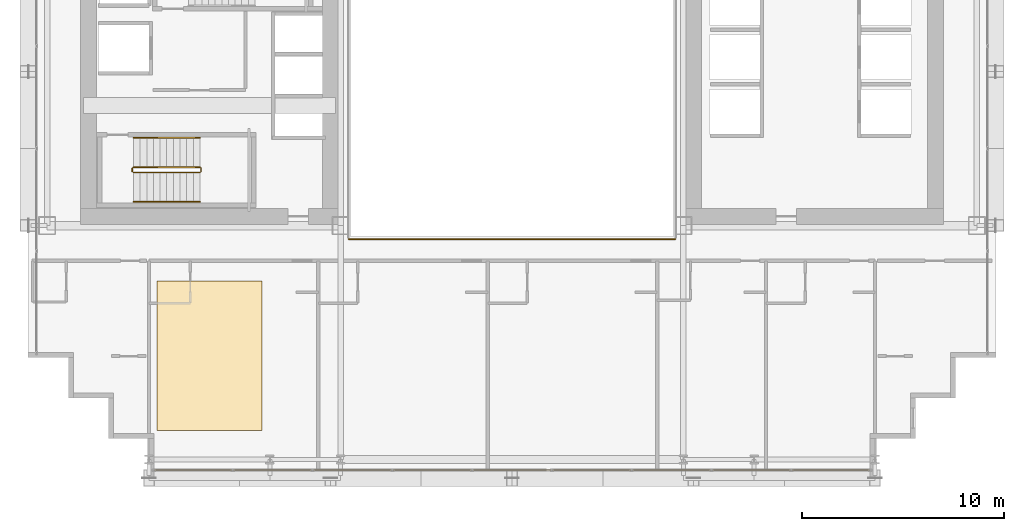
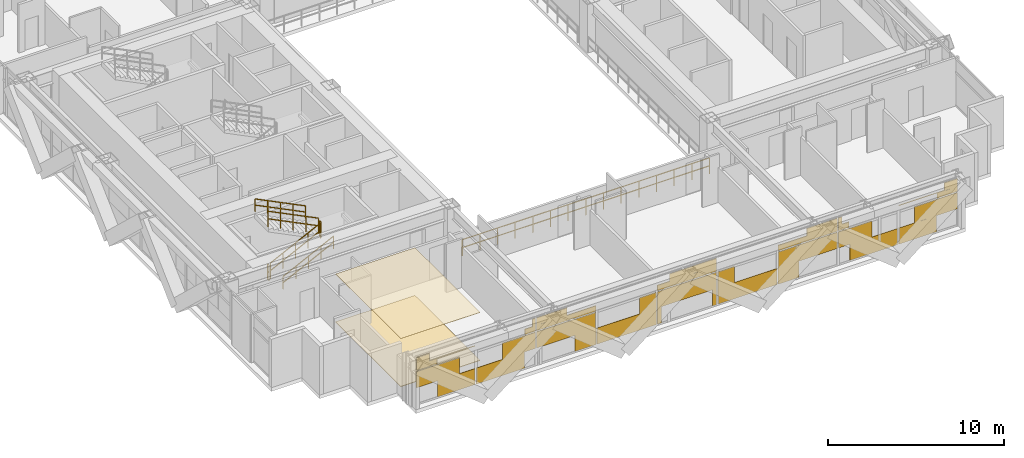
# One storey, part 35 of 38: 7 railings, 3 coverings.
"""IFC4 building model written with IfcOpenShell, lengths in metres."""

import ifcopenshell
import ifcopenshell.guid

model = None  # the IFC model being written
_history = None  # IfcOwnerHistory: only IFC2X3 demands one
_inside = {}  # id of a spatial element -> (the spatial element, [elements in it])
_under = {}  # id of a project, library or spatial element -> (it, [spatial elements below it])
_declared = {}  # id of a project -> (the project, [libraries it declares])
_typed = {}  # id of a type object -> (the type object, [elements of that type])
_made_of = {}  # id of a material, layer set ... -> (it, [elements and type objects made of it])


def new_model(schema):
    """Start an empty IFC model of exactly this schema.

    Asked for "IFC4X3", IfcOpenShell would pick the latest addendum, in which some entities
    have other attributes; the version numbers below select the first issue.
    IFC2X3 requires an IfcOwnerHistory on every rooted entity: one is made here for all.
    """
    global model, _history
    if schema == "IFC4X3":
        model = ifcopenshell.file(schema_version=(4, 3, 0, 0))
    else:
        model = ifcopenshell.file(schema=schema)
    _inside.clear()
    _under.clear()
    _declared.clear()
    _typed.clear()
    _made_of.clear()
    _history = None
    if model.schema == "IFC2X3":
        org = make("IfcOrganization", Name="unknown")
        user = make(
            "IfcPersonAndOrganization",
            ThePerson=make("IfcPerson", FamilyName="unknown"),
            TheOrganization=org,
        )
        app = make(
            "IfcApplication",
            ApplicationDeveloper=org,
            Version="unknown",
            ApplicationFullName="unknown",
            ApplicationIdentifier="unknown",
        )
        _history = make(
            "IfcOwnerHistory",
            OwningUser=user,
            OwningApplication=app,
            ChangeAction="ADDED",
            CreationDate=0,
        )
    return model


def make(cls, **values):
    """One entity of the class cls with the attributes given. An attribute that is None is left unset."""
    return model.create_entity(
        cls, **{name: value for name, value in values.items() if value is not None}
    )


def rooted(cls, **values):
    """An entity with a GlobalId (a new one), such as an element, a storey or a relation."""
    return make(cls, GlobalId=ifcopenshell.guid.new(), OwnerHistory=_history, **values)


def si_unit(unit_type, name, prefix=None):
    """IfcSIUnit, for example si_unit("LENGTHUNIT", "METRE", prefix="MILLI")."""
    return make("IfcSIUnit", UnitType=unit_type, Prefix=prefix, Name=name)


def assignment(units):
    """IfcUnitAssignment: the units of a project."""
    return None if units is None else make("IfcUnitAssignment", Units=units)


def point(xyz):
    """IfcCartesianPoint."""
    return None if xyz is None else make("IfcCartesianPoint", Coordinates=xyz)


def direction(xyz):
    """IfcDirection."""
    return None if xyz is None else make("IfcDirection", DirectionRatios=xyz)


def frame(location, z_axis=None, x_axis=None):
    """IfcAxis2Placement3D, a coordinate frame: its origin and axes. An axis left out is left unset."""
    return make(
        "IfcAxis2Placement3D",
        Location=point(location),
        Axis=direction(z_axis),
        RefDirection=direction(x_axis),
    )


def frame_2d(location, x_axis=None):
    """IfcAxis2Placement2D, a coordinate frame in the plane: its origin and x axis."""
    return make(
        "IfcAxis2Placement2D", Location=point(location), RefDirection=direction(x_axis)
    )


def origin():
    """The frame at (0, 0, 0) with its axes left unset."""
    return frame((0.0, 0.0, 0.0))


def origin_2d():
    """The frame at (0, 0) in the plane with its x axis left unset."""
    return frame_2d((0.0, 0.0))


def place(relative_to, where):
    """IfcLocalPlacement: puts the frame where relative to a parent placement (None: the world)."""
    return make(
        "IfcLocalPlacement", PlacementRelTo=relative_to, RelativePlacement=where
    )


def context(
    kind, dimensions, precision=None, world=None, true_north=None, identifier=None
):
    """IfcGeometricRepresentationContext, for example the 3D "Model" context."""
    return make(
        "IfcGeometricRepresentationContext",
        ContextIdentifier=identifier,
        ContextType=kind,
        CoordinateSpaceDimension=dimensions,
        Precision=precision,
        WorldCoordinateSystem=world,
        TrueNorth=true_north,
    )


def subcontext(parent, identifier, kind, view, scale=None):
    """IfcGeometricRepresentationSubContext, for example "Body" below "Model"."""
    return make(
        "IfcGeometricRepresentationSubContext",
        ContextIdentifier=identifier,
        ContextType=kind,
        ParentContext=parent,
        TargetScale=scale,
        TargetView=view,
    )


def project(units=None, contexts=None):
    """IfcProject with its units and contexts."""
    return rooted(
        "IfcProject",
        Name="project",
        RepresentationContexts=contexts,
        UnitsInContext=assignment(units),
    )


def spatial(cls, under=None, at=None, **own):
    """A site, building, storey or space (cls), placed at a placement, below another one or the project."""
    s = rooted(cls, ObjectPlacement=at, **own)
    if under is not None:
        _under.setdefault(under.id(), (under, []))[1].append(s)
    return s


def polyline(points):
    """IfcPolyline through the points."""
    return make("IfcPolyline", Points=[point(p) for p in points])


def profile(cls, at=None, kind="AREA", **sizes):
    """A parametric profile (cls). Its sizes go by their IFC names, for example OverallWidth=200.0."""
    return make(cls, ProfileType=kind, Position=at, **sizes)


def rectangle(**sizes):
    """IfcRectangleProfileDef."""
    return profile("IfcRectangleProfileDef", **sizes)


def outline(outer, holes=None, kind="AREA"):
    """IfcArbitraryClosedProfileDef: a profile drawn as a closed curve; with holes, ...WithVoids."""
    if holes is None:
        return make("IfcArbitraryClosedProfileDef", ProfileType=kind, OuterCurve=outer)
    return make(
        "IfcArbitraryProfileDefWithVoids",
        ProfileType=kind,
        OuterCurve=outer,
        InnerCurves=holes,
    )


def extrude(swept, where, along, depth):
    """IfcExtrudedAreaSolid: the profile swept, set in the frame where, extruded along a direction by depth."""
    return make(
        "IfcExtrudedAreaSolid",
        SweptArea=swept,
        Position=where,
        ExtrudedDirection=direction(along),
        Depth=depth,
    )


def shape(context_of_items, identifier, shape_type, items):
    """IfcShapeRepresentation: the items that make up one representation, for example the "Body"."""
    return make(
        "IfcShapeRepresentation",
        ContextOfItems=context_of_items,
        RepresentationIdentifier=identifier,
        RepresentationType=shape_type,
        Items=items,
    )


def material(Name=None, Category=None):
    """IfcMaterial."""
    return make("IfcMaterial", Name=Name, Category=Category)


def layer(
    of_material, thickness, ventilated=None, Name=None, Category=None, Priority=None
):
    """IfcMaterialLayer: one layer of a wall or slab, of a material (None: an air gap)."""
    return make(
        "IfcMaterialLayer",
        Material=of_material,
        LayerThickness=thickness,
        IsVentilated=ventilated,
        Name=Name,
        Category=Category,
        Priority=Priority,
    )


def layer_set(layers, Name=None):
    """IfcMaterialLayerSet."""
    return make("IfcMaterialLayerSet", MaterialLayers=layers, LayerSetName=Name)


def made_of(thing, what):
    """Note that an element or type object is made of a material, layer set ...; save() writes the relation."""
    if what is not None:
        _made_of.setdefault(what.id(), (what, []))[1].append(thing)
    return thing


def type_object(cls, material=None, **own):
    """A type object (cls), such as IfcWallType, which elements share."""
    return made_of(rooted(cls, **own), material)


def element(
    cls,
    number,
    at=None,
    inside=None,
    cuts=None,
    type_object=None,
    material=None,
    context=None,
    identifier="Body",
    shape_type=None,
    held_by="IfcProductDefinitionShape",
    body=None,
    shapes=None,
    **own,
):
    """One element of the class cls, such as IfcWall. Its Tag is "e" and its number.

    at: its placement. inside: the storey or other place that contains it. cuts: it is an
    opening in that element (IfcRelVoidsElement). A single representation is given by context,
    identifier, shape_type and body (its items); several are given by shapes. held_by: the class
    of the entity that holds the representations. save() writes the other relations.
    """
    e = rooted(cls, Tag="e%d" % number, ObjectPlacement=at, **own)
    if body is not None:
        shapes = [shape(context, identifier, shape_type, body)]
    if shapes is not None:
        e.Representation = make(held_by, Representations=shapes)
    if inside is not None:
        _inside.setdefault(inside.id(), (inside, []))[1].append(e)
    if cuts is not None:
        rooted(
            "IfcRelVoidsElement", RelatingBuildingElement=cuts, RelatedOpeningElement=e
        )
    if type_object is not None:
        _typed.setdefault(type_object.id(), (type_object, []))[1].append(e)
    return made_of(e, material)


def aggregate(whole, parts):
    """IfcRelAggregates: a whole, such as a stair, and the parts it consists of."""
    return rooted("IfcRelAggregates", RelatingObject=whole, RelatedObjects=parts)


def save(model, path):
    """Write the relations noted so far, then the file.

    IfcRelAggregates (storeys below a building ...), IfcRelContainedInSpatialStructure (elements
    in a storey), IfcRelDefinesByType, IfcRelAssociatesMaterial and IfcRelDeclares: one each for
    every whole, place, type object, material and project.
    """
    for whole, parts in _under.values():
        aggregate(whole, parts)
    for where, things in _inside.values():
        rooted(
            "IfcRelContainedInSpatialStructure",
            RelatedElements=things,
            RelatingStructure=where,
        )
    for kind, things in _typed.values():
        rooted("IfcRelDefinesByType", RelatedObjects=things, RelatingType=kind)
    for what, things in _made_of.values():
        rooted("IfcRelAssociatesMaterial", RelatedObjects=things, RelatingMaterial=what)
    for by, libraries in _declared.values():
        rooted("IfcRelDeclares", RelatingContext=by, RelatedDefinitions=libraries)
    model.write(path)


model = new_model("IFC4")

# Units and contexts
model_context = context("Model", 3, precision=1e-05, world=origin(), true_north=direction((0.0, 1.0)))
body_context = subcontext(model_context, "Body", "Model", "MODEL_VIEW")
ifc_project = project(units=[si_unit("LENGTHUNIT", "METRE"), si_unit("AREAUNIT", "SQUARE_METRE"), si_unit("VOLUMEUNIT", "CUBIC_METRE"), si_unit("PLANEANGLEUNIT", "RADIAN"), si_unit("MASSUNIT", "GRAM", prefix="KILO")], contexts=[model_context])

# Site, building, storey
site_placement = place(None, origin())
site = spatial("IfcSite", under=ifc_project, at=site_placement, CompositionType="ELEMENT")
building_placement = place(site_placement, origin())
building = spatial("IfcBuilding", under=site, at=building_placement, Name="Ocotamira Hotel", CompositionType="ELEMENT")
storey_placement = place(building_placement, frame((0.0, 0.0, 60.0)))
storey = spatial("IfcBuildingStorey", under=building, at=storey_placement, Name="L14", CompositionType="ELEMENT", Elevation=60.0)

# Coverings
ifc_material_1 = material(Name="Perforated acoustic gypsum ceiling board", Category="gypsum")
ifc_layer_1 = layer(ifc_material_1, 0.02490234375)
ifc_layer_set_1 = layer_set([ifc_layer_1], Name="Perforated acoustic gypsum ceiling board")
covering_type_1 = type_object("IfcCoveringType", Name="COV-CEIL-25", PredefinedType="CEILING", material=ifc_layer_set_1)
covering_1_placement = place(storey_placement, frame((0.0, 0.0, 3.324951171875)))
element("IfcCovering", 1, at=covering_1_placement, inside=storey, type_object=covering_type_1, Name="L14 Acoustic Ceiling", PredefinedType="CEILING", context=body_context, shape_type="SweptSolid", body=[
    extrude(outline(polyline([(14.39990234375, 4.39990234375), (19.60009765625, 4.39990234375), (19.60009765625, 11.800048828125), (14.39990234375, 11.800048828125), (14.39990234375, 4.39990234375)])), origin(), (0.0, 0.0, 1.0), 0.025146484375),
])
ifc_material_2 = material(Name="Honed desert travertine stone flooring", Category="masonry")
ifc_layer_2 = layer(ifc_material_2, 0.030029296875)
ifc_layer_set_2 = layer_set([ifc_layer_2], Name="Honed desert travertine stone flooring")
covering_type_2 = type_object("IfcCoveringType", Name="COV-FLOR-30", PredefinedType="FLOORING", material=ifc_layer_set_2)
covering_2_placement = place(storey_placement, origin())
element("IfcCovering", 2, at=covering_2_placement, inside=storey, type_object=covering_type_2, Name="L14 Honed Stone Floor Finish", PredefinedType="FLOORING", context=body_context, shape_type="SweptSolid", body=[
    extrude(outline(polyline([(14.39990234375, 4.39990234375), (19.60009765625, 4.39990234375), (19.60009765625, 11.800048828125), (14.39990234375, 11.800048828125), (14.39990234375, 4.39990234375)])), origin(), (0.0, 0.0, 1.0), 0.030029296875),
])
ifc_material_3 = material(Name="Insulated pale-metal aluminium spandrel panel", Category="aluminium")
ifc_layer_3 = layer(ifc_material_3, 0.044921875)
ifc_layer_set_3 = layer_set([ifc_layer_3], Name="Insulated pale-metal aluminium spandrel panel")
covering_type_3 = type_object("IfcCoveringType", Name="COV-INFILL-45", PredefinedType="CLADDING", material=ifc_layer_set_3)
covering_3_placement = place(storey_placement, origin())
element("IfcCovering", 3, at=covering_3_placement, inside=storey, type_object=covering_type_3, Name="L14 Curtain Wall Infill CW-2 CW-L14-S1", PredefinedType="CLADDING", context=body_context, shape_type="SweptSolid", body=[
    extrude(rectangle(XDim=2.822265625, YDim=0.044921875, at=origin_2d()), frame((15.691650390625, 2.419921875, 1.1943359375), z_axis=(0.0, 0.0, 1.0), x_axis=(1.0, 0.0, 0.0)), (0.0, 0.0, 1.0), 1.11767578125),
    extrude(rectangle(XDim=2.4521484375, YDim=0.044921875, at=origin_2d()), frame((16.888916015625, 2.419921875, 0.07568359375), z_axis=(0.0, 0.0, 1.0), x_axis=(1.0, 0.0, 0.0)), (0.0, 0.0, 1.0), 1.11767578125),
    extrude(rectangle(XDim=1.330078125, YDim=0.044921875, at=origin_2d()), frame((14.945556640625, 2.419921875, 2.38818359375), z_axis=(0.0, 0.0, 1.0), x_axis=(1.0, 0.0, 0.0)), (0.0, 0.0, 1.0), 0.344482421875),
    extrude(rectangle(XDim=3.834716796875, YDim=0.044921875, at=origin_2d()), frame((16.19775390625, 2.419921875, 2.7333984375), z_axis=(0.0, 0.0, 1.0), x_axis=(1.0, 0.0, 0.0)), (0.0, 0.0, 1.0), 0.0302734375),
    extrude(rectangle(XDim=0.859130859375, YDim=0.044921875, at=origin_2d()), frame((14.7099609375, 2.419921875, 2.7646484375), z_axis=(0.0, 0.0, 1.0), x_axis=(1.0, 0.0, 0.0)), (0.0, 0.0, 1.0), 0.509765625),
    extrude(rectangle(XDim=3.14111328125, YDim=0.044921875, at=origin_2d()), frame((19.7666015625, 2.419921875, 0.07568359375), z_axis=(0.0, 0.0, 1.0), x_axis=(1.0, 0.0, 0.0)), (0.0, 0.0, 1.0), 1.11767578125),
    extrude(rectangle(XDim=2.17333984375, YDim=0.044921875, at=origin_2d()), frame((20.98388671875, 2.419921875, 1.1943359375), z_axis=(0.0, 0.0, 1.0), x_axis=(1.0, 0.0, 0.0)), (0.0, 0.0, 1.0), 1.11767578125),
    extrude(rectangle(XDim=0.68115234375, YDim=0.044921875, at=origin_2d()), frame((21.72998046875, 2.419921875, 2.38818359375), z_axis=(0.0, 0.0, 1.0), x_axis=(1.0, 0.0, 0.0)), (0.0, 0.0, 1.0), 0.375732421875),
    extrude(rectangle(XDim=0.210205078125, YDim=0.044921875, at=origin_2d()), frame((21.965576171875, 2.419921875, 2.7646484375), z_axis=(0.0, 0.0, 1.0), x_axis=(1.0, 0.0, 0.0)), (0.0, 0.0, 1.0), 0.509765625),
    extrude(rectangle(XDim=3.87451171875, YDim=0.044921875, at=origin_2d()), frame((24.0888671875, 2.419921875, 1.1943359375), z_axis=(0.0, 0.0, 1.0), x_axis=(1.0, 0.0, 0.0)), (0.0, 0.0, 1.0), 1.11767578125),
    extrude(rectangle(XDim=1.36328125, YDim=0.044921875, at=origin_2d()), frame((25.344482421875, 2.419921875, 0.07568359375), z_axis=(0.0, 0.0, 1.0), x_axis=(1.0, 0.0, 0.0)), (0.0, 0.0, 1.0), 1.11767578125),
    extrude(rectangle(XDim=3.87451171875, YDim=0.044921875, at=origin_2d()), frame((24.0888671875, 2.419921875, 2.38818359375), z_axis=(0.0, 0.0, 1.0), x_axis=(1.0, 0.0, 0.0)), (0.0, 0.0, 1.0), 0.375732421875),
    extrude(rectangle(XDim=1.988037109375, YDim=0.044921875, at=origin_2d()), frame((23.1455078125, 2.419921875, 2.7646484375), z_axis=(0.0, 0.0, 1.0), x_axis=(1.0, 0.0, 0.0)), (0.0, 0.0, 1.0), 0.509765625),
    extrude(rectangle(XDim=3.87451171875, YDim=0.044921875, at=origin_2d()), frame((28.04443359375, 2.419921875, 0.07568359375), z_axis=(0.0, 0.0, 1.0), x_axis=(1.0, 0.0, 0.0)), (0.0, 0.0, 1.0), 1.11767578125),
    extrude(rectangle(XDim=1.08447265625, YDim=0.044921875, at=origin_2d()), frame((29.439453125, 2.419921875, 1.1943359375), z_axis=(0.0, 0.0, 1.0), x_axis=(1.0, 0.0, 0.0)), (0.0, 0.0, 1.0), 1.11767578125),
    extrude(rectangle(XDim=0.2744140625, YDim=0.044921875, at=origin_2d()), frame((30.199951171875, 2.419921875, 0.07568359375), z_axis=(0.0, 0.0, 1.0), x_axis=(1.0, 0.0, 0.0)), (0.0, 0.0, 1.0), 1.11767578125),
    extrude(rectangle(XDim=3.87451171875, YDim=0.044921875, at=origin_2d()), frame((32.0, 2.419921875, 1.1943359375), z_axis=(0.0, 0.0, 1.0), x_axis=(1.0, 0.0, 0.0)), (0.0, 0.0, 1.0), 1.11767578125),
    extrude(rectangle(XDim=0.2744140625, YDim=0.044921875, at=origin_2d()), frame((33.800048828125, 2.419921875, 0.07568359375), z_axis=(0.0, 0.0, 1.0), x_axis=(1.0, 0.0, 0.0)), (0.0, 0.0, 1.0), 1.11767578125),
    extrude(rectangle(XDim=3.87451171875, YDim=0.044921875, at=origin_2d()), frame((32.0, 2.419921875, 2.38818359375), z_axis=(0.0, 0.0, 1.0), x_axis=(1.0, 0.0, 0.0)), (0.0, 0.0, 1.0), 0.375732421875),
    extrude(rectangle(XDim=3.076904296875, YDim=0.044921875, at=origin_2d()), frame((32.39892578125, 2.419921875, 2.7646484375), z_axis=(0.0, 0.0, 1.0), x_axis=(1.0, 0.0, 0.0)), (0.0, 0.0, 1.0), 0.509765625),
    extrude(rectangle(XDim=3.87451171875, YDim=0.044921875, at=origin_2d()), frame((35.95556640625, 2.419921875, 0.07568359375), z_axis=(0.0, 0.0, 1.0), x_axis=(1.0, 0.0, 0.0)), (0.0, 0.0, 1.0), 1.11767578125),
    extrude(rectangle(XDim=1.08447265625, YDim=0.044921875, at=origin_2d()), frame((34.560546875, 2.419921875, 1.1943359375), z_axis=(0.0, 0.0, 1.0), x_axis=(1.0, 0.0, 0.0)), (0.0, 0.0, 1.0), 1.11767578125),
    extrude(rectangle(XDim=1.36328125, YDim=0.044921875, at=origin_2d()), frame((38.655517578125, 2.419921875, 0.07568359375), z_axis=(0.0, 0.0, 1.0), x_axis=(1.0, 0.0, 0.0)), (0.0, 0.0, 1.0), 1.11767578125),
    extrude(rectangle(XDim=3.87451171875, YDim=0.044921875, at=origin_2d()), frame((39.9111328125, 2.419921875, 1.1943359375), z_axis=(0.0, 0.0, 1.0), x_axis=(1.0, 0.0, 0.0)), (0.0, 0.0, 1.0), 1.11767578125),
    extrude(rectangle(XDim=3.87451171875, YDim=0.044921875, at=origin_2d()), frame((39.9111328125, 2.419921875, 2.38818359375), z_axis=(0.0, 0.0, 1.0), x_axis=(1.0, 0.0, 0.0)), (0.0, 0.0, 1.0), 0.375732421875),
    extrude(rectangle(XDim=1.988037109375, YDim=0.044921875, at=origin_2d()), frame((40.8544921875, 2.419921875, 2.7646484375), z_axis=(0.0, 0.0, 1.0), x_axis=(1.0, 0.0, 0.0)), (0.0, 0.0, 1.0), 0.509765625),
    extrude(rectangle(XDim=2.17333984375, YDim=0.044921875, at=origin_2d()), frame((43.01611328125, 2.419921875, 1.1943359375), z_axis=(0.0, 0.0, 1.0), x_axis=(1.0, 0.0, 0.0)), (0.0, 0.0, 1.0), 1.11767578125),
    extrude(rectangle(XDim=3.14111328125, YDim=0.044921875, at=origin_2d()), frame((44.2333984375, 2.419921875, 0.07568359375), z_axis=(0.0, 0.0, 1.0), x_axis=(1.0, 0.0, 0.0)), (0.0, 0.0, 1.0), 1.11767578125),
    extrude(rectangle(XDim=0.68115234375, YDim=0.044921875, at=origin_2d()), frame((42.27001953125, 2.419921875, 2.38818359375), z_axis=(0.0, 0.0, 1.0), x_axis=(1.0, 0.0, 0.0)), (0.0, 0.0, 1.0), 0.375732421875),
    extrude(rectangle(XDim=0.210205078125, YDim=0.044921875, at=origin_2d()), frame((42.034423828125, 2.419921875, 2.7646484375), z_axis=(0.0, 0.0, 1.0), x_axis=(1.0, 0.0, 0.0)), (0.0, 0.0, 1.0), 0.509765625),
    extrude(rectangle(XDim=2.4521484375, YDim=0.044921875, at=origin_2d()), frame((47.111083984375, 2.419921875, 0.07568359375), z_axis=(0.0, 0.0, 1.0), x_axis=(1.0, 0.0, 0.0)), (0.0, 0.0, 1.0), 1.11767578125),
    extrude(rectangle(XDim=2.822265625, YDim=0.044921875, at=origin_2d()), frame((48.308349609375, 2.419921875, 1.1943359375), z_axis=(0.0, 0.0, 1.0), x_axis=(1.0, 0.0, 0.0)), (0.0, 0.0, 1.0), 1.11767578125),
    extrude(rectangle(XDim=3.834716796875, YDim=0.044921875, at=origin_2d()), frame((47.80224609375, 2.419921875, 2.7333984375), z_axis=(0.0, 0.0, 1.0), x_axis=(1.0, 0.0, 0.0)), (0.0, 0.0, 1.0), 0.0302734375),
    extrude(rectangle(XDim=1.330078125, YDim=0.044921875, at=origin_2d()), frame((49.054443359375, 2.419921875, 2.38818359375), z_axis=(0.0, 0.0, 1.0), x_axis=(1.0, 0.0, 0.0)), (0.0, 0.0, 1.0), 0.344482421875),
    extrude(rectangle(XDim=0.859130859375, YDim=0.044921875, at=origin_2d()), frame((49.2900390625, 2.419921875, 2.7646484375), z_axis=(0.0, 0.0, 1.0), x_axis=(1.0, 0.0, 0.0)), (0.0, 0.0, 1.0), 0.509765625),
])

# Railings
ifc_material_4 = material(Name="Painted steel stair guardrail", Category="steel")
railing_type_1 = type_object("IfcRailingType", Name="RL-EDGE-1150", PredefinedType="GUARDRAIL", material=ifc_material_4)
railing_1_placement = place(storey_placement, frame((23.89990234375, 13.8798828125, 0.0)))
element("IfcRailing", 4, at=railing_1_placement, inside=storey, type_object=railing_type_1, Name="L14 Central Atrium Edge Guardrail S", PredefinedType="GUARDRAIL", context=body_context, shape_type="SweptSolid", body=[
    extrude(rectangle(XDim=0.048095703125, YDim=0.048095703125, at=origin_2d()), frame((0.0, 0.0, 1.1259765625), z_axis=(1.0, 0.0, 0.0), x_axis=(0.0, 1.0, 0.0)), (0.0, 0.0, 1.0), 16.2001953125),
    extrude(rectangle(XDim=0.048095703125, YDim=0.048095703125, at=origin_2d()), frame((0.0, 0.0, 0.574951171875), z_axis=(1.0, 0.0, 0.0), x_axis=(0.0, 1.0, 0.0)), (0.0, 0.0, 1.0), 16.2001953125),
    extrude(rectangle(XDim=0.0419921875, YDim=0.0419921875, at=origin_2d()), origin(), (0.0, 0.0, 1.0), 1.101806640625),
    extrude(rectangle(XDim=0.0419921875, YDim=0.0419921875, at=origin_2d()), frame((1.1572265625, 0.0, 0.0)), (0.0, 0.0, 1.0), 1.101806640625),
    extrude(rectangle(XDim=0.0419921875, YDim=0.0419921875, at=origin_2d()), frame((2.314208984375, 0.0, 0.0)), (0.0, 0.0, 1.0), 1.101806640625),
    extrude(rectangle(XDim=0.0419921875, YDim=0.0419921875, at=origin_2d()), frame((3.471435546875, 0.0, 0.0)), (0.0, 0.0, 1.0), 1.101806640625),
    extrude(rectangle(XDim=0.0419921875, YDim=0.0419921875, at=origin_2d()), frame((4.628662109375, 0.0, 0.0)), (0.0, 0.0, 1.0), 1.101806640625),
    extrude(rectangle(XDim=0.0419921875, YDim=0.0419921875, at=origin_2d()), frame((5.785888671875, 0.0, 0.0)), (0.0, 0.0, 1.0), 1.101806640625),
    extrude(rectangle(XDim=0.0419921875, YDim=0.0419921875, at=origin_2d()), frame((6.94287109375, 0.0, 0.0)), (0.0, 0.0, 1.0), 1.101806640625),
    extrude(rectangle(XDim=0.0419921875, YDim=0.0419921875, at=origin_2d()), frame((8.10009765625, 0.0, 0.0)), (0.0, 0.0, 1.0), 1.101806640625),
    extrude(rectangle(XDim=0.0419921875, YDim=0.0419921875, at=origin_2d()), frame((9.25732421875, 0.0, 0.0)), (0.0, 0.0, 1.0), 1.101806640625),
    extrude(rectangle(XDim=0.0419921875, YDim=0.0419921875, at=origin_2d()), frame((10.414306640625, 0.0, 0.0)), (0.0, 0.0, 1.0), 1.101806640625),
    extrude(rectangle(XDim=0.0419921875, YDim=0.0419921875, at=origin_2d()), frame((11.571533203125, 0.0, 0.0)), (0.0, 0.0, 1.0), 1.101806640625),
    extrude(rectangle(XDim=0.0419921875, YDim=0.0419921875, at=origin_2d()), frame((12.728759765625, 0.0, 0.0)), (0.0, 0.0, 1.0), 1.101806640625),
    extrude(rectangle(XDim=0.0419921875, YDim=0.0419921875, at=origin_2d()), frame((13.885986328125, 0.0, 0.0)), (0.0, 0.0, 1.0), 1.101806640625),
    extrude(rectangle(XDim=0.0419921875, YDim=0.0419921875, at=origin_2d()), frame((15.04296875, 0.0, 0.0)), (0.0, 0.0, 1.0), 1.101806640625),
    extrude(rectangle(XDim=0.0419921875, YDim=0.0419921875, at=origin_2d()), frame((16.2001953125, 0.0, 0.0)), (0.0, 0.0, 1.0), 1.101806640625),
])
ifc_material_5 = material(Name="Brushed stainless steel handrail", Category="steel")
railing_type_2 = type_object("IfcRailingType", Name="RL-HAND-900", PredefinedType="HANDRAIL", material=ifc_material_5)
railing_2_placement = place(storey_placement, frame((13.22998046875, 15.719970703125, 0.327392578125)))
element("IfcRailing", 5, at=railing_2_placement, inside=storey, type_object=railing_type_2, Name="L14 ST-1 stair handrail 1", PredefinedType="HANDRAIL", context=body_context, shape_type="SweptSolid", body=[
    extrude(rectangle(XDim=0.048095703125, YDim=0.048095703125, at=origin_2d()), frame((0.0, 0.0, 0.8759765625), z_axis=(0.895920123917, 0.0, 0.444215186098), x_axis=(0.0, 1.0, 0.0)), (0.0, 0.0, 1.0), 3.683349609375),
    extrude(rectangle(XDim=0.048095703125, YDim=0.048095703125, at=origin_2d()), frame((0.0, 0.0, 0.449951171875), z_axis=(0.895920123917, 0.0, 0.444215186098), x_axis=(0.0, 1.0, 0.0)), (0.0, 0.0, 1.0), 3.683349609375),
    extrude(rectangle(XDim=0.0419921875, YDim=0.0419921875, at=origin_2d()), origin(), (0.0, 0.0, 1.0), 0.851806640625),
    extrude(rectangle(XDim=0.0419921875, YDim=0.0419921875, at=origin_2d()), frame((0.824951171875, 0.0, 0.4091796875)), (0.0, 0.0, 1.0), 0.851806640625),
    extrude(rectangle(XDim=0.0419921875, YDim=0.0419921875, at=origin_2d()), frame((1.64990234375, 0.0, 0.818115234375)), (0.0, 0.0, 1.0), 0.851806640625),
    extrude(rectangle(XDim=0.0419921875, YDim=0.0419921875, at=origin_2d()), frame((2.47509765625, 0.0, 1.22705078125)), (0.0, 0.0, 1.0), 0.851806640625),
    extrude(rectangle(XDim=0.0419921875, YDim=0.0419921875, at=origin_2d()), frame((3.300048828125, 0.0, 1.63623046875)), (0.0, 0.0, 1.0), 0.851806640625),
])
railing_3_placement = place(storey_placement, frame((16.530029296875, 18.89990234375, 2.127197265625)))
element("IfcRailing", 6, at=railing_3_placement, inside=storey, type_object=railing_type_2, Name="L14 ST-1 stair handrail 2", PredefinedType="HANDRAIL", context=body_context, shape_type="SweptSolid", body=[
    extrude(rectangle(XDim=0.048095703125, YDim=0.048095703125, at=origin_2d()), frame((0.0, 0.0, 0.8759765625), z_axis=(-0.895893744519, 0.0, 0.4442683857), x_axis=(0.0, -1.0, 0.0)), (0.0, 0.0, 1.0), 3.68359375),
    extrude(rectangle(XDim=0.048095703125, YDim=0.048095703125, at=origin_2d()), frame((0.0, 0.0, 0.449951171875), z_axis=(-0.895893744519, 0.0, 0.4442683857), x_axis=(0.0, -1.0, 0.0)), (0.0, 0.0, 1.0), 3.68359375),
    extrude(rectangle(XDim=0.0419921875, YDim=0.0419921875, at=origin_2d()), origin(), (0.0, 0.0, 1.0), 0.851806640625),
    extrude(rectangle(XDim=0.0419921875, YDim=0.0419921875, at=origin_2d()), frame((-0.824951171875, 0.0, 0.4091796875)), (0.0, 0.0, 1.0), 0.851806640625),
    extrude(rectangle(XDim=0.0419921875, YDim=0.0419921875, at=origin_2d()), frame((-1.64990234375, 0.0, 0.818359375)), (0.0, 0.0, 1.0), 0.851806640625),
    extrude(rectangle(XDim=0.0419921875, YDim=0.0419921875, at=origin_2d()), frame((-2.47509765625, 0.0, 1.227294921875)), (0.0, 0.0, 1.0), 0.851806640625),
    extrude(rectangle(XDim=0.0419921875, YDim=0.0419921875, at=origin_2d()), frame((-3.300048828125, 0.0, 1.636474609375)), (0.0, 0.0, 1.0), 0.851806640625),
])
railing_type_3 = type_object("IfcRailingType", Name="RL-STAIR-1100", PredefinedType="GUARDRAIL", material=ifc_material_4)
railing_4_placement = place(storey_placement, frame((13.22998046875, 17.179931640625, 0.16357421875)))
element("IfcRailing", 7, at=railing_4_placement, inside=storey, type_object=railing_type_3, Name="L14 ST-1 stair guard 1", PredefinedType="GUARDRAIL", context=body_context, shape_type="SweptSolid", body=[
    extrude(rectangle(XDim=0.048095703125, YDim=0.048095703125, at=origin_2d()), frame((0.0, 0.0, 1.076171875), z_axis=(0.895893744519, 0.0, 0.4442683857), x_axis=(0.0, 1.0, 0.0)), (0.0, 0.0, 1.0), 3.68359375),
    extrude(rectangle(XDim=0.048095703125, YDim=0.048095703125, at=origin_2d()), frame((0.0, 0.0, 0.550048828125), z_axis=(0.895893744519, 0.0, 0.4442683857), x_axis=(0.0, 1.0, 0.0)), (0.0, 0.0, 1.0), 3.68359375),
    extrude(rectangle(XDim=0.0419921875, YDim=0.0419921875, at=origin_2d()), origin(), (0.0, 0.0, 1.0), 1.052001953125),
    extrude(rectangle(XDim=0.0419921875, YDim=0.0419921875, at=origin_2d()), frame((0.824951171875, 0.0, 0.4091796875)), (0.0, 0.0, 1.0), 1.052001953125),
    extrude(rectangle(XDim=0.0419921875, YDim=0.0419921875, at=origin_2d()), frame((1.64990234375, 0.0, 0.818359375)), (0.0, 0.0, 1.0), 1.052001953125),
    extrude(rectangle(XDim=0.0419921875, YDim=0.0419921875, at=origin_2d()), frame((2.47509765625, 0.0, 1.227294921875)), (0.0, 0.0, 1.0), 1.052001953125),
    extrude(rectangle(XDim=0.0419921875, YDim=0.0419921875, at=origin_2d()), frame((3.300048828125, 0.0, 1.636474609375)), (0.0, 0.0, 1.0), 1.052001953125),
])
railing_5_placement = place(storey_placement, frame((16.580078125, 17.22998046875, 1.800048828125)))
element("IfcRailing", 8, at=railing_5_placement, inside=storey, type_object=railing_type_3, Name="L14 ST-1 stair guard 2", PredefinedType="GUARDRAIL", context=body_context, shape_type="SweptSolid", body=[
    extrude(rectangle(XDim=0.048095703125, YDim=0.048095703125, at=origin_2d()), frame((0.0, 0.0, 1.076171875), z_axis=(0.0, 1.0, 0.0), x_axis=(-1.0, 0.0, 0.0)), (0.0, 0.0, 1.0), 0.159912109375),
    extrude(rectangle(XDim=0.048095703125, YDim=0.048095703125, at=origin_2d()), frame((0.0, 0.0, 0.550048828125), z_axis=(0.0, 1.0, 0.0), x_axis=(-1.0, 0.0, 0.0)), (0.0, 0.0, 1.0), 0.159912109375),
    extrude(rectangle(XDim=0.0419921875, YDim=0.0419921875, at=origin_2d()), origin(), (0.0, 0.0, 1.0), 1.052001953125),
    extrude(rectangle(XDim=0.0419921875, YDim=0.0419921875, at=origin_2d()), frame((0.0, 0.159912109375, 0.0)), (0.0, 0.0, 1.0), 1.052001953125),
])
railing_6_placement = place(storey_placement, frame((16.530029296875, 17.43994140625, 1.963623046875)))
element("IfcRailing", 9, at=railing_6_placement, inside=storey, type_object=railing_type_3, Name="L14 ST-1 stair guard 3", PredefinedType="GUARDRAIL", context=body_context, shape_type="SweptSolid", body=[
    extrude(rectangle(XDim=0.048095703125, YDim=0.048095703125, at=origin_2d()), frame((0.0, 0.0, 1.076171875), z_axis=(-0.895893744519, 0.0, 0.4442683857), x_axis=(0.0, -1.0, 0.0)), (0.0, 0.0, 1.0), 3.68359375),
    extrude(rectangle(XDim=0.048095703125, YDim=0.048095703125, at=origin_2d()), frame((0.0, 0.0, 0.550048828125), z_axis=(-0.895893744519, 0.0, 0.4442683857), x_axis=(0.0, -1.0, 0.0)), (0.0, 0.0, 1.0), 3.68359375),
    extrude(rectangle(XDim=0.0419921875, YDim=0.0419921875, at=origin_2d()), origin(), (0.0, 0.0, 1.0), 1.052001953125),
    extrude(rectangle(XDim=0.0419921875, YDim=0.0419921875, at=origin_2d()), frame((-0.824951171875, 0.0, 0.4091796875)), (0.0, 0.0, 1.0), 1.052001953125),
    extrude(rectangle(XDim=0.0419921875, YDim=0.0419921875, at=origin_2d()), frame((-1.64990234375, 0.0, 0.818359375)), (0.0, 0.0, 1.0), 1.052001953125),
    extrude(rectangle(XDim=0.0419921875, YDim=0.0419921875, at=origin_2d()), frame((-2.47509765625, 0.0, 1.227294921875)), (0.0, 0.0, 1.0), 1.052001953125),
    extrude(rectangle(XDim=0.0419921875, YDim=0.0419921875, at=origin_2d()), frame((-3.300048828125, 0.0, 1.636474609375)), (0.0, 0.0, 1.0), 1.052001953125),
])
railing_7_placement = place(storey_placement, frame((13.179931640625, 17.22998046875, 0.0)))
element("IfcRailing", 10, at=railing_7_placement, inside=storey, type_object=railing_type_3, Name="L14 ST-1 stair guard 4", PredefinedType="GUARDRAIL", context=body_context, shape_type="SweptSolid", body=[
    extrude(rectangle(XDim=0.048095703125, YDim=0.048095703125, at=origin_2d()), frame((0.0, 0.0, 1.076171875), z_axis=(0.0, 1.0, 0.0), x_axis=(-1.0, 0.0, 0.0)), (0.0, 0.0, 1.0), 0.159912109375),
    extrude(rectangle(XDim=0.048095703125, YDim=0.048095703125, at=origin_2d()), frame((0.0, 0.0, 0.550048828125), z_axis=(0.0, 1.0, 0.0), x_axis=(-1.0, 0.0, 0.0)), (0.0, 0.0, 1.0), 0.159912109375),
    extrude(rectangle(XDim=0.0419921875, YDim=0.0419921875, at=origin_2d()), origin(), (0.0, 0.0, 1.0), 1.052001953125),
    extrude(rectangle(XDim=0.0419921875, YDim=0.0419921875, at=origin_2d()), frame((0.0, 0.159912109375, 0.0)), (0.0, 0.0, 1.0), 1.052001953125),
])

save(model, "model.ifc")
